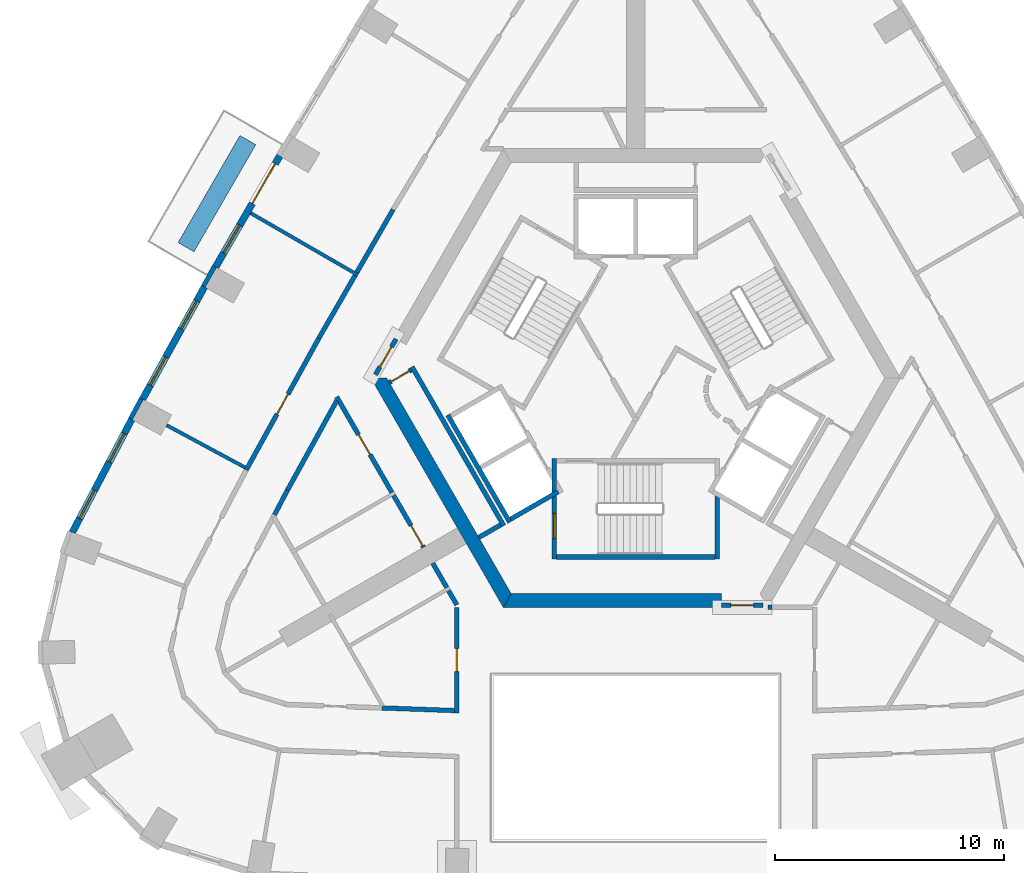
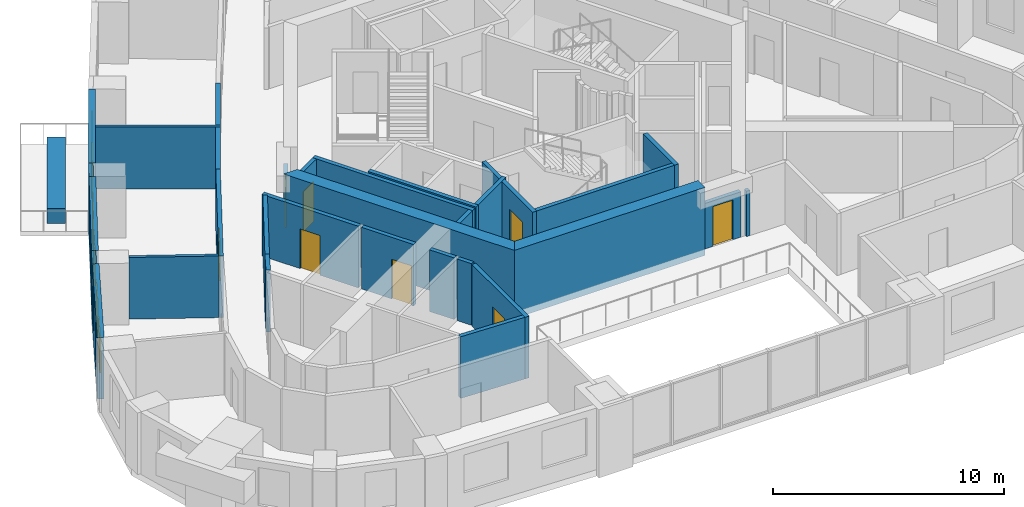
# One storey, part 4 of 11: 32 walls, 9 doors, 5 windows, 14 openings.
"""IFC4 building model written with IfcOpenShell, lengths in metres."""

from ifc_helpers import new_model, si_unit, direction, frame, frame_2d, origin, place, context, subcontext, project, spatial, polyline, rectangle, outline, extrude, material, layer, layer_set, type_object, element, fill, save


model = new_model("IFC4")

# Units and contexts
model_context = context("Model", 3, precision=1e-05, world=origin(), true_north=direction((0.0, 1.0)))
body_context = subcontext(model_context, "Body", "Model", "MODEL_VIEW")
ifc_project = project(units=[si_unit("LENGTHUNIT", "METRE"), si_unit("AREAUNIT", "SQUARE_METRE"), si_unit("VOLUMEUNIT", "CUBIC_METRE"), si_unit("PLANEANGLEUNIT", "RADIAN"), si_unit("MASSUNIT", "GRAM", prefix="KILO")], contexts=[model_context])

# Site, building, storey
site_placement = place(None, origin())
site = spatial("IfcSite", under=ifc_project, at=site_placement, CompositionType="ELEMENT")
building_placement = place(site_placement, origin())
building = spatial("IfcBuilding", under=site, at=building_placement, Name="Entoto Arch Interchange Tower", CompositionType="ELEMENT")
storey_placement = place(building_placement, frame((0.0, 0.0, 248.60009765625)))
storey = spatial("IfcBuildingStorey", under=building, at=storey_placement, Name="L56", CompositionType="ELEMENT", Elevation=248.60009765625)

# Wall, opening, door
ifc_material_1 = material(Name="Reinforced concrete C40/50", Category="concrete")
ifc_layer_1 = layer(ifc_material_1, 0.199951171875)
ifc_layer_set_1 = layer_set([ifc_layer_1], Name="Reinforced concrete C40/50")
wall_type_1 = type_object("IfcWallType", Name="CORE GAP INFILL WALL", PredefinedType="PARTITIONING", material=ifc_layer_set_1)
wall_1_placement = place(storey_placement, frame((3.75, -7.39990234375, 0.0), z_axis=(0.0, 0.0, 1.0), x_axis=(1.0, 0.0, 0.0)))
wall_1 = element("IfcWall", 1, at=wall_1_placement, inside=storey, type_object=wall_type_1, Name="wall:L56:gap1", PredefinedType="PARTITIONING", context=body_context, shape_type="SweptSolid", body=[
    extrude(rectangle(XDim=1.7939453125, YDim=0.199951171875, at=frame_2d((0.89697265625, 0.0))), origin(), (0.0, 0.0, 1.0), 2.39990234375),
])
opening_1_placement = place(wall_1_placement, frame((0.39697265625, 0.0, 0.0)))
opening_1 = element("IfcOpeningElement", 2, at=opening_1_placement, cuts=wall_1, Name="Opening L56-D91", PredefinedType="OPENING", context=body_context, shape_type="SweptSolid", body=[
    extrude(rectangle(XDim=1.0, YDim=2.10009765625, at=frame_2d((0.5, 1.050048828125))), frame((0.0, 0.10986328125, 0.0), z_axis=(0.0, -1.0, 0.0), x_axis=(1.0, 0.0, 0.0)), (0.0, 0.0, 1.0), 0.219970703125),
])
ifc_material_2 = material(Name="Fire-rated Steel S235 door and frame", Category="steel")
door_type_1 = type_object("IfcDoorType", Name="DOOR FD-10 1000x2100", OperationType="SINGLE_SWING_LEFT", PredefinedType="DOOR", material=ifc_material_2)
door_1_placement = place(opening_1_placement, origin())
door_1 = element("IfcDoor", 3, at=door_1_placement, inside=storey, type_object=door_type_1, Name="door:L56:gap1", OperationType="SINGLE_SWING_LEFT", OverallHeight=2.10009765625, OverallWidth=1.0, PredefinedType="DOOR", context=body_context, shape_type="SweptSolid", body=[
    extrude(rectangle(XDim=1.0, YDim=2.10009765625, at=frame_2d((0.5, 1.050048828125))), frame((0.0, 0.02490234375, 0.0), z_axis=(0.0, -1.0, 0.0), x_axis=(1.0, 0.0, 0.0)), (0.0, 0.0, 1.0), 0.050048828125),
])
fill(opening_1, door_1)

wall_2_placement = place(storey_placement, frame((-10.448974609375, 4.202880859375, 0.0), z_axis=(0.0, 0.0, 1.0), x_axis=(-0.499914839587, -0.866074565589, 0.0)))
wall_2 = element("IfcWall", 4, at=wall_2_placement, inside=storey, type_object=wall_type_1, Name="wall:L56:gap3", PredefinedType="PARTITIONING", context=body_context, shape_type="SweptSolid", body=[
    extrude(rectangle(XDim=1.794189453125, YDim=0.199951171875, at=frame_2d((0.89697265625, 0.0))), origin(), (0.0, 0.0, 1.0), 2.39990234375),
])
opening_2_placement = place(wall_2_placement, frame((0.39697265625, 0.0, 0.0)))
opening_2 = element("IfcOpeningElement", 5, at=opening_2_placement, cuts=wall_2, Name="Opening L56-D93", PredefinedType="OPENING", context=body_context, shape_type="SweptSolid", body=[
    extrude(rectangle(XDim=1.0, YDim=2.10009765625, at=frame_2d((0.5, 1.050048828125))), frame((0.0, 0.10986328125, 0.0), z_axis=(0.0, -1.0, 0.0), x_axis=(1.0, 0.0, 0.0)), (0.0, 0.0, 1.0), 0.219970703125),
])
door_2_placement = place(opening_2_placement, origin())
door_2 = element("IfcDoor", 6, at=door_2_placement, inside=storey, type_object=door_type_1, Name="door:L56:gap3", OperationType="SINGLE_SWING_LEFT", OverallHeight=2.10009765625, OverallWidth=1.0, PredefinedType="DOOR", context=body_context, shape_type="SweptSolid", body=[
    extrude(rectangle(XDim=1.0, YDim=2.10009765625, at=frame_2d((0.5, 1.050048828125))), frame((0.0, 0.02490234375, 0.0), z_axis=(0.0, -1.0, 0.0), x_axis=(1.0, 0.0, 0.0)), (0.0, 0.0, 1.0), 0.050048828125),
])
fill(opening_2, door_2)

# Walls
ifc_material_3 = material(Name="Concrete C40/50", Category="concrete")
ifc_layer_2 = layer(ifc_material_3, 0.60009765625)
ifc_layer_set_2 = layer_set([ifc_layer_2], Name="Concrete C40/50")
wall_type_2 = type_object("IfcWallType", Name="Core wall 600 C40/50", PredefinedType="SHEAR", material=ifc_layer_set_2)
wall_3_placement = place(storey_placement, frame((0.0, 0.0, -0.340087890625)))
element("IfcWall", 7, at=wall_3_placement, inside=storey, type_object=wall_type_2, Name="Core wall SW L56", PredefinedType="SHEAR", context=body_context, shape_type="SweptSolid", body=[
    extrude(outline(polyline([(-11.547119140625, 2.5), (-5.77392578125, -7.5), (-5.427001953125, -6.89990234375), (-10.85400390625, 2.5), (-11.547119140625, 2.5)])), origin(), (0.0, 0.0, 1.0), 3.60009765625),
])
wall_4_placement = place(storey_placement, frame((0.0, 0.0, -0.340087890625)))
element("IfcWall", 8, at=wall_4_placement, inside=storey, type_object=wall_type_2, Name="Core wall S L56", PredefinedType="SHEAR", context=body_context, shape_type="SweptSolid", body=[
    extrude(outline(polyline([(3.75, -7.5), (3.75, -6.89990234375), (-5.427001953125, -6.89990234375), (-5.77392578125, -7.5), (3.75, -7.5)])), origin(), (0.0, 0.0, 1.0), 3.60009765625),
])
ifc_layer_3 = layer(ifc_material_3, 0.199951171875)
ifc_layer_set_3 = layer_set([ifc_layer_3], Name="Concrete C40/50")
wall_type_3 = type_object("IfcWallType", Name="LIFT SHAFT WALL 200", PredefinedType="STANDARD", material=ifc_layer_set_3)
wall_5_placement = place(storey_placement, frame((-8.19189453125, 0.887939453125, 0.0), z_axis=(0.0, 0.0, 1.0), x_axis=(0.500034260056, -0.866005622828, 0.0)))
element("IfcWall", 9, at=wall_5_placement, inside=storey, type_object=wall_type_3, Name="Shaft wall SW1 back", PredefinedType="STANDARD", context=body_context, shape_type="SweptSolid", body=[
    extrude(rectangle(XDim=5.3994140625, YDim=0.199951171875, at=frame_2d((2.69970703125, 0.0))), origin(), (0.0, 0.0, 1.0), 3.260009765625),
])
wall_6_placement = place(storey_placement, frame((-3.376953125, -2.451904296875, 0.0), z_axis=(0.0, 0.0, 1.0), x_axis=(-0.865955154139, -0.50012165622, 0.0)))
element("IfcWall", 10, at=wall_6_placement, inside=storey, type_object=wall_type_3, Name="Shaft wall SW1 cross 3", PredefinedType="STANDARD", context=body_context, shape_type="SweptSolid", body=[
    extrude(rectangle(XDim=2.39990234375, YDim=0.199951171875, at=frame_2d((1.199951171875, 0.0))), origin(), (0.0, 0.0, 1.0), 3.260009765625),
])
ifc_material_4 = material(Name="Gypsum board partition on steel studs", Category="steel")
ifc_layer_4 = layer(ifc_material_4, 0.14990234375)
ifc_layer_set_4 = layer_set([ifc_layer_4], Name="Gypsum board partition on steel studs")
wall_type_4 = type_object("IfcWallType", Name="PARTITION 150", PredefinedType="PARTITIONING", material=ifc_layer_set_4)
wall_7_placement = place(storey_placement, frame((-12.110107421875, 6.991943359375, 0.0), z_axis=(0.0, 0.0, 1.0), x_axis=(-0.865994316829, 0.50005384032, 0.0)))
element("IfcWall", 11, at=wall_7_placement, inside=storey, type_object=wall_type_4, Name="wall:L56:p111", PredefinedType="PARTITIONING", context=body_context, shape_type="SweptSolid", body=[
    extrude(rectangle(XDim=5.3994140625, YDim=0.14990234375, at=frame_2d((2.69970703125, 0.0))), origin(), (0.0, 0.0, 1.0), 3.260009765625),
])
wall_8_placement = place(storey_placement, frame((-17.034912109375, -1.39599609375, 0.0), z_axis=(0.0, 0.0, 1.0), x_axis=(-0.88055795398, 0.473938487234, 0.0)))
element("IfcWall", 12, at=wall_8_placement, inside=storey, type_object=wall_type_4, Name="wall:L56:p112", PredefinedType="PARTITIONING", context=body_context, shape_type="SweptSolid", body=[
    extrude(rectangle(XDim=3.88037109375, YDim=0.14990234375, at=frame_2d((1.940185546875, 0.0))), origin(), (0.0, 0.0, 1.0), 3.260009765625),
])

# Wall, opening, door
ifc_layer_5 = layer(ifc_material_4, 0.199951171875)
ifc_layer_set_5 = layer_set([ifc_layer_5], Name="Gypsum board partition on steel studs")
wall_type_5 = type_object("IfcWallType", Name="PARTITION 200", PredefinedType="PARTITIONING", material=ifc_layer_set_5)
wall_9_placement = place(storey_placement, frame((-10.6298828125, -2.488037109375, 0.0), z_axis=(0.0, 0.0, 1.0), x_axis=(-0.500108649621, 0.865962665808, 0.0)))
wall_9 = element("IfcWall", 13, at=wall_9_placement, inside=storey, type_object=wall_type_5, Name="wall:L56:p022", PredefinedType="PARTITIONING", context=body_context, shape_type="SweptSolid", body=[
    extrude(rectangle(XDim=4.8154296875, YDim=0.199951171875, at=frame_2d((2.40771484375, 0.0))), origin(), (0.0, 0.0, 1.0), 3.260009765625),
])
opening_3_placement = place(wall_9_placement, frame((1.907958984375, 0.0, 0.0)))
opening_3 = element("IfcOpeningElement", 14, at=opening_3_placement, cuts=wall_9, Name="Opening L56-D19", PredefinedType="OPENING", context=body_context, shape_type="SweptSolid", body=[
    extrude(rectangle(XDim=1.0, YDim=2.10009765625, at=frame_2d((0.5, 1.050048828125))), frame((0.0, 0.10986328125, 0.0), z_axis=(0.0, -1.0, 0.0), x_axis=(1.0, 0.0, 0.0)), (0.0, 0.0, 1.0), 0.219970703125),
])
ifc_material_5 = material(Name="Timber door leaf in Steel S235 frame", Category="steel")
door_type_2 = type_object("IfcDoorType", Name="DOOR DS-10 1000x2100", OperationType="SINGLE_SWING_LEFT", PredefinedType="DOOR", material=ifc_material_5)
door_3_placement = place(opening_3_placement, origin())
door_3 = element("IfcDoor", 15, at=door_3_placement, inside=storey, type_object=door_type_2, Name="door:L56:19", OperationType="SINGLE_SWING_LEFT", OverallHeight=2.10009765625, OverallWidth=1.0, PredefinedType="DOOR", context=body_context, shape_type="SweptSolid", body=[
    extrude(rectangle(XDim=1.0, YDim=2.10009765625, at=frame_2d((0.5, 1.050048828125))), frame((0.0, 0.02490234375, 0.0), z_axis=(0.0, -1.0, 0.0), x_axis=(1.0, 0.0, 0.0)), (0.0, 0.0, 1.0), 0.050048828125),
])
fill(opening_3, door_3)

# Walls
wall_10_placement = place(storey_placement, frame((-13.035888671875, 1.508056640625, 0.0), z_axis=(0.0, 0.0, 1.0), x_axis=(-0.482884552822, -0.87568402329, 0.0)))
element("IfcWall", 16, at=wall_10_placement, inside=storey, type_object=wall_type_5, Name="wall:L56:p023", PredefinedType="PARTITIONING", context=body_context, shape_type="SweptSolid", body=[
    extrude(rectangle(XDim=4.45263671875, YDim=0.199951171875, at=frame_2d((2.226318359375, 0.0))), origin(), (0.0, 0.0, 1.0), 3.260009765625),
])
wall_11_placement = place(storey_placement, frame((-15.18603515625, -2.39111328125, 0.0), z_axis=(0.0, 0.0, 1.0), x_axis=(-0.464794189951, -0.885418748948, 0.0)))
element("IfcWall", 17, at=wall_11_placement, inside=storey, type_object=wall_type_5, Name="wall:L56:p024", PredefinedType="PARTITIONING", context=body_context, shape_type="SweptSolid", body=[
    extrude(rectangle(XDim=1.205078125, YDim=0.199951171875, at=frame_2d((0.6025390625, 0.0))), origin(), (0.0, 0.0, 1.0), 3.260009765625),
])
wall_12_placement = place(storey_placement, frame((-8.235107421875, -6.635986328125, 0.0), z_axis=(0.0, 0.0, 1.0), x_axis=(-0.500089055364, 0.86597398154, 0.0)))
element("IfcWall", 18, at=wall_12_placement, inside=storey, type_object=wall_type_5, Name="wall:L56:p025", PredefinedType="PARTITIONING", context=body_context, shape_type="SweptSolid", body=[
    extrude(rectangle(XDim=1.229736328125, YDim=0.199951171875, at=frame_2d((0.61474609375, 0.0))), origin(), (0.0, 0.0, 1.0), 3.260009765625),
])
wall_13_placement = place(storey_placement, frame((-7.800048828125, -7.389892578125, 0.0), z_axis=(0.0, 0.0, 1.0), x_axis=(-0.499712670472, 0.866191230024, 0.0)))
element("IfcWall", 19, at=wall_13_placement, inside=storey, type_object=wall_type_5, Name="wall:L56:p026", PredefinedType="PARTITIONING", context=body_context, shape_type="SweptSolid", body=[
    extrude(rectangle(XDim=0.72021484375, YDim=0.199951171875, at=frame_2d((0.360107421875, 0.0))), origin(), (0.0, 0.0, 1.0), 3.260009765625),
])
wall_14_placement = place(storey_placement, frame((-11.052001953125, -11.884033203125, 0.0), z_axis=(0.0, 0.0, 1.0), x_axis=(0.999335249241, -0.036456270033, 0.0)))
element("IfcWall", 20, at=wall_14_placement, inside=storey, type_object=wall_type_5, Name="wall:L56:p027", PredefinedType="PARTITIONING", context=body_context, shape_type="SweptSolid", body=[
    extrude(rectangle(XDim=3.154296875, YDim=0.199951171875, at=frame_2d((1.5771484375, 0.0))), origin(), (0.0, 0.0, 1.0), 3.260009765625),
])
wall_15_placement = place(storey_placement, frame((-12.158935546875, 7.10693359375, 0.0), z_axis=(0.0, 0.0, 1.0), x_axis=(0.499953838557, 0.866052053466, 0.0)))
element("IfcWall", 21, at=wall_15_placement, inside=storey, type_object=wall_type_5, Name="wall:L56:p052", PredefinedType="PARTITIONING", context=body_context, shape_type="SweptSolid", body=[
    extrude(rectangle(XDim=3.166259765625, YDim=0.199951171875, at=frame_2d((1.5830078125, 0.0))), origin(), (0.0, 0.0, 1.0), 3.260009765625),
])

# Wall, opening, door
wall_16_placement = place(storey_placement, frame((-16.98291015625, -1.509033203125, 0.0), z_axis=(0.0, 0.0, 1.0), x_axis=(0.482785999899, 0.875738361785, 0.0)))
wall_16 = element("IfcWall", 22, at=wall_16_placement, inside=storey, type_object=wall_type_5, Name="wall:L56:p054", PredefinedType="PARTITIONING", context=body_context, shape_type="SweptSolid", body=[
    extrude(rectangle(XDim=6.557861328125, YDim=0.199951171875, at=frame_2d((3.27880859375, 0.0))), origin(), (0.0, 0.0, 1.0), 3.260009765625),
])
opening_4_placement = place(wall_16_placement, frame((2.779052734375, 0.0, 0.0)))
opening_4 = element("IfcOpeningElement", 23, at=opening_4_placement, cuts=wall_16, Name="Opening L56-D10", PredefinedType="OPENING", context=body_context, shape_type="SweptSolid", body=[
    extrude(rectangle(XDim=1.0, YDim=2.10009765625, at=frame_2d((0.5, 1.050048828125))), frame((0.0, 0.10986328125, 0.0), z_axis=(0.0, -1.0, 0.0), x_axis=(1.0, 0.0, 0.0)), (0.0, 0.0, 1.0), 0.219970703125),
])
door_4_placement = place(opening_4_placement, origin())
door_4 = element("IfcDoor", 24, at=door_4_placement, inside=storey, type_object=door_type_2, Name="door:L56:10", OperationType="SINGLE_SWING_LEFT", OverallHeight=2.10009765625, OverallWidth=1.0, PredefinedType="DOOR", context=body_context, shape_type="SweptSolid", body=[
    extrude(rectangle(XDim=1.0, YDim=2.10009765625, at=frame_2d((0.5, 1.050048828125))), frame((0.0, 0.02490234375, 0.0), z_axis=(0.0, -1.0, 0.0), x_axis=(1.0, 0.0, 0.0)), (0.0, 0.0, 1.0), 0.050048828125),
])
fill(opening_4, door_4)

# Walls
wall_17_placement = place(storey_placement, frame((-13.81689453125, 4.23388671875, 0.0), z_axis=(0.0, 0.0, 1.0), x_axis=(0.499820325382, 0.866129114125, 0.0)))
element("IfcWall", 25, at=wall_17_placement, inside=storey, type_object=wall_type_5, Name="wall:L56:p055", PredefinedType="PARTITIONING", context=body_context, shape_type="SweptSolid", body=[
    extrude(rectangle(XDim=3.167236328125, YDim=0.199951171875, at=frame_2d((1.58349609375, 0.0))), origin(), (0.0, 0.0, 1.0), 3.260009765625),
])
wall_18_placement = place(storey_placement, frame((-5.887939453125, -3.902099609375, 0.0), z_axis=(0.0, 0.0, 1.0), x_axis=(-0.86621513555, -0.499671230855, 0.0)))
element("IfcWall", 26, at=wall_18_placement, inside=storey, type_object=wall_type_5, Name="wall:L56:p068", PredefinedType="PARTITIONING", context=body_context, shape_type="SweptSolid", body=[
    extrude(rectangle(XDim=1.100341796875, YDim=0.199951171875, at=frame_2d((0.55029296875, 0.0))), origin(), (0.0, 0.0, 1.0), 3.260009765625),
])

# Wall, opening, door
wall_19_placement = place(storey_placement, frame((-10.740966796875, 2.302978515625, 0.0), z_axis=(0.0, 0.0, 1.0), x_axis=(0.866063652425, 0.499933745558, 0.0)))
wall_19 = element("IfcWall", 27, at=wall_19_placement, inside=storey, type_object=wall_type_5, Name="wall:L56:p069", PredefinedType="PARTITIONING", context=body_context, shape_type="SweptSolid", body=[
    extrude(rectangle(XDim=1.100341796875, YDim=0.199951171875, at=frame_2d((0.55029296875, 0.0))), origin(), (0.0, 0.0, 1.0), 3.260009765625),
])
opening_5_placement = place(wall_19_placement, frame((0.10009765625, 0.0, 0.0)))
opening_5 = element("IfcOpeningElement", 28, at=opening_5_placement, cuts=wall_19, Name="Opening L56-D30", PredefinedType="OPENING", context=body_context, shape_type="SweptSolid", body=[
    extrude(rectangle(XDim=0.89990234375, YDim=2.10009765625, at=frame_2d((0.449951171875, 1.050048828125))), frame((0.0, 0.10986328125, 0.0), z_axis=(0.0, -1.0, 0.0), x_axis=(1.0, 0.0, 0.0)), (0.0, 0.0, 1.0), 0.219970703125),
])
door_type_3 = type_object("IfcDoorType", Name="DOOR DS-09 900x2100", OperationType="SINGLE_SWING_LEFT", PredefinedType="DOOR", material=ifc_material_5)
door_5_placement = place(opening_5_placement, origin())
door_5 = element("IfcDoor", 29, at=door_5_placement, inside=storey, type_object=door_type_3, Name="door:L56:30", OperationType="SINGLE_SWING_RIGHT", OverallHeight=2.10009765625, OverallWidth=0.89990234375, PredefinedType="DOOR", context=body_context, shape_type="SweptSolid", body=[
    extrude(rectangle(XDim=0.89990234375, YDim=2.10009765625, at=frame_2d((0.449951171875, 1.050048828125))), frame((0.0, 0.02490234375, 0.0), z_axis=(0.0, -1.0, 0.0), x_axis=(1.0, 0.0, 0.0)), (0.0, 0.0, 1.0), 0.050048828125),
])
fill(opening_5, door_5)

# Walls
wall_20_placement = place(storey_placement, frame((-9.7509765625, 2.989990234375, 0.0), z_axis=(0.0, 0.0, 1.0), x_axis=(0.500012163284, -0.866018381195, 0.0)))
element("IfcWall", 30, at=wall_20_placement, inside=storey, type_object=wall_type_5, Name="wall:L56:p070", PredefinedType="PARTITIONING", context=body_context, shape_type="SweptSolid", body=[
    extrude(rectangle(XDim=7.999755859375, YDim=0.199951171875, at=frame_2d((4.0, 0.0))), origin(), (0.0, 0.0, 1.0), 3.260009765625),
])
wall_21_placement = place(storey_placement, frame((5.77490234375, -7.4990234375, 0.0), z_axis=(0.0, 0.0, 1.0), x_axis=(1.0, 0.0, 0.0)))
element("IfcWall", 31, at=wall_21_placement, inside=storey, type_object=wall_type_5, Name="wall:L56:p072", PredefinedType="PARTITIONING", context=body_context, shape_type="SweptSolid", body=[
    extrude(rectangle(XDim=0.169189453125, YDim=0.199951171875, at=frame_2d((0.08447265625, 0.0))), origin(), (0.0, 0.0, 1.0), 2.39990234375),
])

# Wall, opening, door
wall_22_placement = place(storey_placement, frame((-7.800048828125, -12.10302734375, 0.0), z_axis=(0.0, 0.0, 1.0), x_axis=(0.0, 1.0, 0.0)))
wall_22 = element("IfcWall", 32, at=wall_22_placement, inside=storey, type_object=wall_type_5, Name="wall:L56:p088", PredefinedType="PARTITIONING", context=body_context, shape_type="SweptSolid", body=[
    extrude(rectangle(XDim=4.60400390625, YDim=0.199951171875, at=frame_2d((2.302001953125, 0.0))), origin(), (0.0, 0.0, 1.0), 3.260009765625),
])
opening_6_placement = place(wall_22_placement, frame((1.802001953125, 0.0, 0.0)))
opening_6 = element("IfcOpeningElement", 33, at=opening_6_placement, cuts=wall_22, Name="Opening L56-D21", PredefinedType="OPENING", context=body_context, shape_type="SweptSolid", body=[
    extrude(rectangle(XDim=1.0, YDim=2.10009765625, at=frame_2d((0.5, 1.050048828125))), frame((0.0, 0.10986328125, 0.0), z_axis=(0.0, -1.0, 0.0), x_axis=(1.0, 0.0, 0.0)), (0.0, 0.0, 1.0), 0.219970703125),
])
door_6_placement = place(opening_6_placement, origin())
door_6 = element("IfcDoor", 34, at=door_6_placement, inside=storey, type_object=door_type_2, Name="door:L56:21", OperationType="SINGLE_SWING_LEFT", OverallHeight=2.10009765625, OverallWidth=1.0, PredefinedType="DOOR", context=body_context, shape_type="SweptSolid", body=[
    extrude(rectangle(XDim=1.0, YDim=2.10009765625, at=frame_2d((0.5, 1.050048828125))), frame((0.0, 0.02490234375, 0.0), z_axis=(0.0, -1.0, 0.0), x_axis=(1.0, 0.0, 0.0)), (0.0, 0.0, 1.0), 0.050048828125),
])
fill(opening_6, door_6)

wall_23_placement = place(storey_placement, frame((-9.25, -4.8779296875, 0.0), z_axis=(0.0, 0.0, 1.0), x_axis=(-0.500032875382, 0.866006422342, 0.0)))
wall_23 = element("IfcWall", 35, at=wall_23_placement, inside=storey, type_object=wall_type_5, Name="wall:L56:p025", PredefinedType="PARTITIONING", context=body_context, shape_type="SweptSolid", body=[
    extrude(rectangle(XDim=2.609619140625, YDim=0.199951171875, at=frame_2d((1.3046875, 0.0))), origin(), (0.0, 0.0, 1.0), 3.260009765625),
])
opening_7_placement = place(wall_23_placement, frame((0.090087890625, 0.0, 0.0)))
opening_7 = element("IfcOpeningElement", 36, at=opening_7_placement, cuts=wall_23, Name="Opening L56-D20", PredefinedType="OPENING", context=body_context, shape_type="SweptSolid", body=[
    extrude(rectangle(XDim=1.0, YDim=2.10009765625, at=frame_2d((0.5, 1.050048828125))), frame((0.0, 0.10986328125, 0.0), z_axis=(0.0, -1.0, 0.0), x_axis=(1.0, 0.0, 0.0)), (0.0, 0.0, 1.0), 0.219970703125),
])
door_7_placement = place(opening_7_placement, origin())
door_7 = element("IfcDoor", 37, at=door_7_placement, inside=storey, type_object=door_type_2, Name="door:L56:20", OperationType="SINGLE_SWING_LEFT", OverallHeight=2.10009765625, OverallWidth=1.0, PredefinedType="DOOR", context=body_context, shape_type="SweptSolid", body=[
    extrude(rectangle(XDim=1.0, YDim=2.10009765625, at=frame_2d((0.5, 1.050048828125))), frame((0.0, 0.02490234375, 0.0), z_axis=(0.0, -1.0, 0.0), x_axis=(1.0, 0.0, 0.0)), (0.0, 0.0, 1.0), 0.050048828125),
])
fill(opening_7, door_7)

# Wall
ifc_material_6 = material(Name="Board-marked precast concrete C50/60", Category="concrete")
ifc_layer_6 = layer(ifc_material_6, 0.800048828125)
ifc_layer_set_6 = layer_set([ifc_layer_6], Name="Board-marked precast concrete C50/60")
wall_type_6 = type_object("IfcWallType", Name="PLANTER RC 800 Afrocarpus falcatus", PredefinedType="STANDARD", material=ifc_layer_set_6)
wall_24_placement = place(storey_placement, frame((-16.909912109375, 12.876953125, 0.0), z_axis=(0.0, 0.0, 1.0), x_axis=(-0.500038519147, -0.866003163602, 0.0)))
element("IfcWall", 38, at=wall_24_placement, inside=storey, type_object=wall_type_6, Name="Planter NW-03 L56", PredefinedType="STANDARD", context=body_context, shape_type="SweptSolid", body=[
    extrude(rectangle(XDim=5.3935546875, YDim=0.800048828125, at=frame_2d((2.69677734375, 0.0))), origin(), (0.0, 0.0, 1.0), 0.7998046875),
])

# Wall, opening, door
ifc_layer_7 = layer(ifc_material_3, 0.199951171875)
ifc_layer_set_7 = layer_set([ifc_layer_7], Name="Concrete C40/50")
wall_type_7 = type_object("IfcWallType", Name="STAIR ENCLOSURE WALL 200", PredefinedType="STANDARD", material=ifc_layer_set_7)
wall_25_placement = place(storey_placement, frame((-3.550048828125, -1.0, 0.0), z_axis=(0.0, 0.0, 1.0), x_axis=(0.0, -1.0, 0.0)))
wall_25 = element("IfcWall", 39, at=wall_25_placement, inside=storey, type_object=wall_type_7, Name="Stair wall ST-S near", PredefinedType="STANDARD", context=body_context, shape_type="SweptSolid", body=[
    extrude(rectangle(XDim=4.39990234375, YDim=0.199951171875, at=frame_2d((2.199951171875, 0.0))), origin(), (0.0, 0.0, 1.0), 3.260009765625),
])
opening_8_placement = place(wall_25_placement, frame((2.39990234375, 0.0, 0.0)))
opening_8 = element("IfcOpeningElement", 40, at=opening_8_placement, cuts=wall_25, Name="Opening SD-ST-S-L56-E", PredefinedType="OPENING", context=body_context, shape_type="SweptSolid", body=[
    extrude(rectangle(XDim=1.10009765625, YDim=2.199951171875, at=frame_2d((0.550048828125, 1.10009765625))), frame((0.0, 0.10986328125, 0.0), z_axis=(0.0, -1.0, 0.0), x_axis=(1.0, 0.0, 0.0)), (0.0, 0.0, 1.0), 0.219970703125),
])
ifc_material_7 = material(Name="Steel S235", Category="steel")
door_type_4 = type_object("IfcDoorType", Name="STAIR DOOR SD1 1100x2200", OperationType="SINGLE_SWING_LEFT", PredefinedType="DOOR", material=ifc_material_7)
door_8_placement = place(opening_8_placement, origin())
door_8 = element("IfcDoor", 41, at=door_8_placement, inside=storey, type_object=door_type_4, Name="Stair door ST-S L56 end", OperationType="SINGLE_SWING_LEFT", OverallHeight=2.199951171875, OverallWidth=1.10009765625, PredefinedType="DOOR", context=body_context, shape_type="SweptSolid", body=[
    extrude(rectangle(XDim=1.10009765625, YDim=2.199951171875, at=frame_2d((0.550048828125, 1.10009765625))), frame((0.0, 0.02490234375, 0.0), z_axis=(0.0, -1.0, 0.0), x_axis=(1.0, 0.0, 0.0)), (0.0, 0.0, 1.0), 0.050048828125),
])
fill(opening_8, door_8)

# Walls
wall_26_placement = place(storey_placement, frame((3.550048828125, -2.6669921875, 0.0), z_axis=(0.0, 0.0, 1.0), x_axis=(0.0, -1.0, 0.0)))
element("IfcWall", 42, at=wall_26_placement, inside=storey, type_object=wall_type_7, Name="Stair wall ST-S far", PredefinedType="STANDARD", context=body_context, shape_type="SweptSolid", body=[
    extrude(rectangle(XDim=2.73291015625, YDim=0.199951171875, at=frame_2d((1.366455078125, 0.0))), origin(), (0.0, 0.0, 1.0), 3.260009765625),
])
wall_27_placement = place(storey_placement, frame((-3.449951171875, -5.300048828125, 0.0), z_axis=(0.0, 0.0, 1.0), x_axis=(1.0, 0.0, 0.0)))
element("IfcWall", 43, at=wall_27_placement, inside=storey, type_object=wall_type_7, Name="Stair wall ST-S back", PredefinedType="STANDARD", context=body_context, shape_type="SweptSolid", body=[
    extrude(rectangle(XDim=6.89990234375, YDim=0.199951171875, at=frame_2d((3.449951171875, 0.0))), origin(), (0.0, 0.0, 1.0), 3.260009765625),
])

# Wall, openings, door, window
ifc_material_8 = material(Name="Welded tuff (ignimbrite) cladding, warm buff", Category="masonry")
ifc_layer_8 = layer(ifc_material_8, 0.300048828125)
ifc_layer_set_8 = layer_set([ifc_layer_8], Name="Welded tuff (ignimbrite) cladding, warm buff")
wall_type_8 = type_object("IfcWallType", Name="STONE INFILL WALL 300", PredefinedType="STANDARD", material=ifc_layer_set_8)
wall_28_placement = place(storey_placement, frame((-15.51806640625, 12.18896484375, 0.0), z_axis=(0.0, 0.0, 1.0), x_axis=(-0.49995037644, -0.866054052065, 0.0)))
wall_28 = element("IfcWall", 44, at=wall_28_placement, inside=storey, type_object=wall_type_8, Name="Facade wall NW-03 L56", PredefinedType="STANDARD", context=body_context, shape_type="SweptSolid", body=[
    extrude(rectangle(XDim=5.59423828125, YDim=0.300048828125, at=frame_2d((2.797119140625, 0.0))), origin(), (0.0, 0.0, 1.0), 3.260009765625),
])
opening_9_placement = place(wall_28_placement, frame((0.39892578125, 0.0, 0.0)))
opening_9 = element("IfcOpeningElement", 45, at=opening_9_placement, cuts=wall_28, Name="Opening DB-NW-03-L56", PredefinedType="OPENING", context=body_context, shape_type="SweptSolid", body=[
    extrude(rectangle(XDim=2.0, YDim=2.39990234375, at=frame_2d((1.0, 1.199951171875))), frame((0.0, 0.16015625, 0.0), z_axis=(0.0, -1.0, 0.0), x_axis=(1.0, 0.0, 0.0)), (0.0, 0.0, 1.0), 0.320068359375),
])
opening_10_placement = place(wall_28_placement, frame((3.49609375, 0.0, 0.89990234375)))
opening_10 = element("IfcOpeningElement", 46, at=opening_10_placement, cuts=wall_28, Name="Opening WH-B", PredefinedType="OPENING", context=body_context, shape_type="SweptSolid", body=[
    extrude(rectangle(XDim=1.39990234375, YDim=2.0, at=frame_2d((0.699951171875, 1.0))), frame((0.0, 0.16015625, 0.0), z_axis=(0.0, -1.0, 0.0), x_axis=(1.0, 0.0, 0.0)), (0.0, 0.0, 1.0), 0.320068359375),
])
ifc_material_9 = material(Name="Aluminium and clear glass, anodised", Category="aluminium")
door_type_5 = type_object("IfcDoorType", Name="BALCONY DOOR DB 2000x2400", OperationType="SLIDING_TO_LEFT", PredefinedType="DOOR", material=ifc_material_9)
door_9_placement = place(opening_9_placement, origin())
door_9 = element("IfcDoor", 47, at=door_9_placement, inside=storey, type_object=door_type_5, Name="Balcony door NW-03 L56", OperationType="SLIDING_TO_LEFT", OverallHeight=2.39990234375, OverallWidth=2.0, PredefinedType="DOOR", context=body_context, shape_type="SweptSolid", body=[
    extrude(rectangle(XDim=2.0, YDim=2.39990234375, at=frame_2d((1.0, 1.199951171875))), frame((0.0, 0.02490234375, 0.0), z_axis=(0.0, -1.0, 0.0), x_axis=(1.0, 0.0, 0.0)), (0.0, 0.0, 1.0), 0.050048828125),
])
fill(opening_9, door_9)
ifc_material_10 = material(Name="Clear glass, low-e double glazed", Category="glass")
window_type = type_object("IfcWindowType", Name="WINDOW WH-B 1400x2000", PartitioningType="DOUBLE_PANEL_VERTICAL", PredefinedType="WINDOW", material=ifc_material_10)
window_1_placement = place(opening_10_placement, origin())
window_1 = element("IfcWindow", 48, at=window_1_placement, inside=storey, type_object=window_type, Name="Window WH-B NW-03 L56", OverallHeight=2.0, OverallWidth=1.39990234375, PartitioningType="SINGLE_PANEL", PredefinedType="WINDOW", context=body_context, shape_type="SweptSolid", body=[
    extrude(rectangle(XDim=1.39990234375, YDim=2.0, at=frame_2d((0.699951171875, 1.0))), frame((0.0, 0.030029296875, 0.0), z_axis=(0.0, -1.0, 0.0), x_axis=(1.0, 0.0, 0.0)), (0.0, 0.0, 1.0), 0.06005859375),
])
fill(opening_10, window_1)

# Wall, openings, windows
wall_29_placement = place(storey_placement, frame((-18.804931640625, 6.47509765625, 0.0), z_axis=(0.0, 0.0, 1.0), x_axis=(-0.482734585173, -0.875766704253, 0.0)))
wall_29 = element("IfcWall", 49, at=wall_29_placement, inside=storey, type_object=wall_type_8, Name="Facade wall NW-04 L56", PredefinedType="STANDARD", context=body_context, shape_type="SweptSolid", body=[
    extrude(rectangle(XDim=5.593017578125, YDim=0.300048828125, at=frame_2d((2.79638671875, 0.0))), origin(), (0.0, 0.0, 1.0), 3.260009765625),
])
opening_11_placement = place(wall_29_placement, frame((0.697998046875, 0.0, 0.89990234375)))
opening_11 = element("IfcOpeningElement", 50, at=opening_11_placement, cuts=wall_29, Name="Opening WH-B", PredefinedType="OPENING", context=body_context, shape_type="SweptSolid", body=[
    extrude(rectangle(XDim=1.39990234375, YDim=2.0, at=frame_2d((0.699951171875, 1.0))), frame((0.0, 0.16015625, 0.0), z_axis=(0.0, -1.0, 0.0), x_axis=(1.0, 0.0, 0.0)), (0.0, 0.0, 1.0), 0.320068359375),
])
opening_12_placement = place(wall_29_placement, frame((3.4951171875, 0.0, 0.89990234375)))
opening_12 = element("IfcOpeningElement", 51, at=opening_12_placement, cuts=wall_29, Name="Opening WH-B", PredefinedType="OPENING", context=body_context, shape_type="SweptSolid", body=[
    extrude(rectangle(XDim=1.39990234375, YDim=2.0, at=frame_2d((0.699951171875, 1.0))), frame((0.0, 0.16015625, 0.0), z_axis=(0.0, -1.0, 0.0), x_axis=(1.0, 0.0, 0.0)), (0.0, 0.0, 1.0), 0.320068359375),
])
window_2_placement = place(opening_11_placement, origin())
window_2 = element("IfcWindow", 52, at=window_2_placement, inside=storey, type_object=window_type, Name="Window WH-B NW-04 L56", OverallHeight=2.0, OverallWidth=1.39990234375, PartitioningType="SINGLE_PANEL", PredefinedType="WINDOW", context=body_context, shape_type="SweptSolid", body=[
    extrude(rectangle(XDim=1.39990234375, YDim=2.0, at=frame_2d((0.699951171875, 1.0))), frame((0.0, 0.030029296875, 0.0), z_axis=(0.0, -1.0, 0.0), x_axis=(1.0, 0.0, 0.0)), (0.0, 0.0, 1.0), 0.06005859375),
])
fill(opening_11, window_2)
window_3_placement = place(opening_12_placement, origin())
window_3 = element("IfcWindow", 53, at=window_3_placement, inside=storey, type_object=window_type, Name="Window WH-B NW-04 L56", OverallHeight=2.0, OverallWidth=1.39990234375, PartitioningType="SINGLE_PANEL", PredefinedType="WINDOW", context=body_context, shape_type="SweptSolid", body=[
    extrude(rectangle(XDim=1.39990234375, YDim=2.0, at=frame_2d((0.699951171875, 1.0))), frame((0.0, 0.030029296875, 0.0), z_axis=(0.0, -1.0, 0.0), x_axis=(1.0, 0.0, 0.0)), (0.0, 0.0, 1.0), 0.06005859375),
])
fill(opening_12, window_3)

wall_30_placement = place(storey_placement, frame((-21.97802734375, 0.697998046875, 0.0), z_axis=(0.0, 0.0, 1.0), x_axis=(-0.465228032148, -0.885190871001, 0.0)))
wall_30 = element("IfcWall", 54, at=wall_30_placement, inside=storey, type_object=wall_type_8, Name="Facade wall NW-05 L56", PredefinedType="STANDARD", context=body_context, shape_type="SweptSolid", body=[
    extrude(rectangle(XDim=5.571533203125, YDim=0.300048828125, at=frame_2d((2.78564453125, 0.0))), origin(), (0.0, 0.0, 1.0), 3.260009765625),
])
opening_13_placement = place(wall_30_placement, frame((0.693115234375, 0.0, 0.89990234375)))
opening_13 = element("IfcOpeningElement", 55, at=opening_13_placement, cuts=wall_30, Name="Opening WH-B", PredefinedType="OPENING", context=body_context, shape_type="SweptSolid", body=[
    extrude(rectangle(XDim=1.39990234375, YDim=2.0, at=frame_2d((0.699951171875, 1.0))), frame((0.0, 0.16015625, 0.0), z_axis=(0.0, -1.0, 0.0), x_axis=(1.0, 0.0, 0.0)), (0.0, 0.0, 1.0), 0.320068359375),
])
opening_14_placement = place(wall_30_placement, frame((3.47900390625, 0.0, 0.89990234375)))
opening_14 = element("IfcOpeningElement", 56, at=opening_14_placement, cuts=wall_30, Name="Opening WH-B", PredefinedType="OPENING", context=body_context, shape_type="SweptSolid", body=[
    extrude(rectangle(XDim=1.39990234375, YDim=2.0, at=frame_2d((0.699951171875, 1.0))), frame((0.0, 0.16015625, 0.0), z_axis=(0.0, -1.0, 0.0), x_axis=(1.0, 0.0, 0.0)), (0.0, 0.0, 1.0), 0.320068359375),
])
window_4_placement = place(opening_13_placement, origin())
window_4 = element("IfcWindow", 57, at=window_4_placement, inside=storey, type_object=window_type, Name="Window WH-B NW-05 L56", OverallHeight=2.0, OverallWidth=1.39990234375, PartitioningType="SINGLE_PANEL", PredefinedType="WINDOW", context=body_context, shape_type="SweptSolid", body=[
    extrude(rectangle(XDim=1.39990234375, YDim=2.0, at=frame_2d((0.699951171875, 1.0))), frame((0.0, 0.030029296875, 0.0), z_axis=(0.0, -1.0, 0.0), x_axis=(1.0, 0.0, 0.0)), (0.0, 0.0, 1.0), 0.06005859375),
])
fill(opening_13, window_4)
window_5_placement = place(opening_14_placement, origin())
window_5 = element("IfcWindow", 58, at=window_5_placement, inside=storey, type_object=window_type, Name="Window WH-B NW-05 L56", OverallHeight=2.0, OverallWidth=1.39990234375, PartitioningType="SINGLE_PANEL", PredefinedType="WINDOW", context=body_context, shape_type="SweptSolid", body=[
    extrude(rectangle(XDim=1.39990234375, YDim=2.0, at=frame_2d((0.699951171875, 1.0))), frame((0.0, 0.030029296875, 0.0), z_axis=(0.0, -1.0, 0.0), x_axis=(1.0, 0.0, 0.0)), (0.0, 0.0, 1.0), 0.06005859375),
])
fill(opening_14, window_5)

# Walls
ifc_layer_9 = layer(ifc_material_8, 0.199951171875)
ifc_layer_set_9 = layer_set([ifc_layer_9], Name="Welded tuff (ignimbrite) cladding, warm buff")
wall_type_9 = type_object("IfcWallType", Name="STONE PIER CLADDING 200", PredefinedType="STANDARD", material=ifc_layer_set_9)
for number, where, z_axis, x_axis, name in (
    (59, (-18.362060546875, 7.3720703125, 0.0), (0.0, 0.0, 1.0), (-0.491743606947, -0.87074004446, 0.0), "Stone pier NW04 L56"),
    (60, (-21.552978515625, 1.60400390625, 0.0), (0.0, 0.0, 1.0), (-0.473852444207, -0.880604259085, 0.0), "Stone pier NW05 L56"),
):
    element("IfcWall", number, at=place(storey_placement, frame(where, z_axis=z_axis, x_axis=x_axis)), inside=storey, type_object=wall_type_9, Name=name, PredefinedType="STANDARD", context=body_context, shape_type="SweptSolid", body=[
        extrude(rectangle(XDim=1.00048828125, YDim=0.199951171875, at=frame_2d((0.500244140625, 0.0))), origin(), (0.0, 0.0, 1.0), 3.260009765625),
    ])

save(model, "model.ifc")
